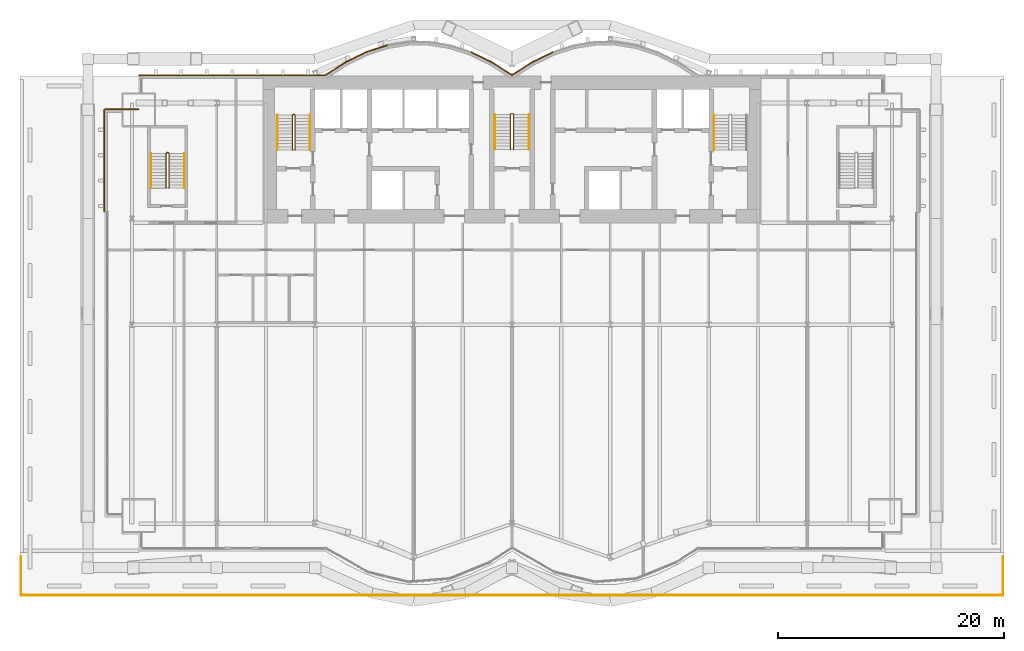
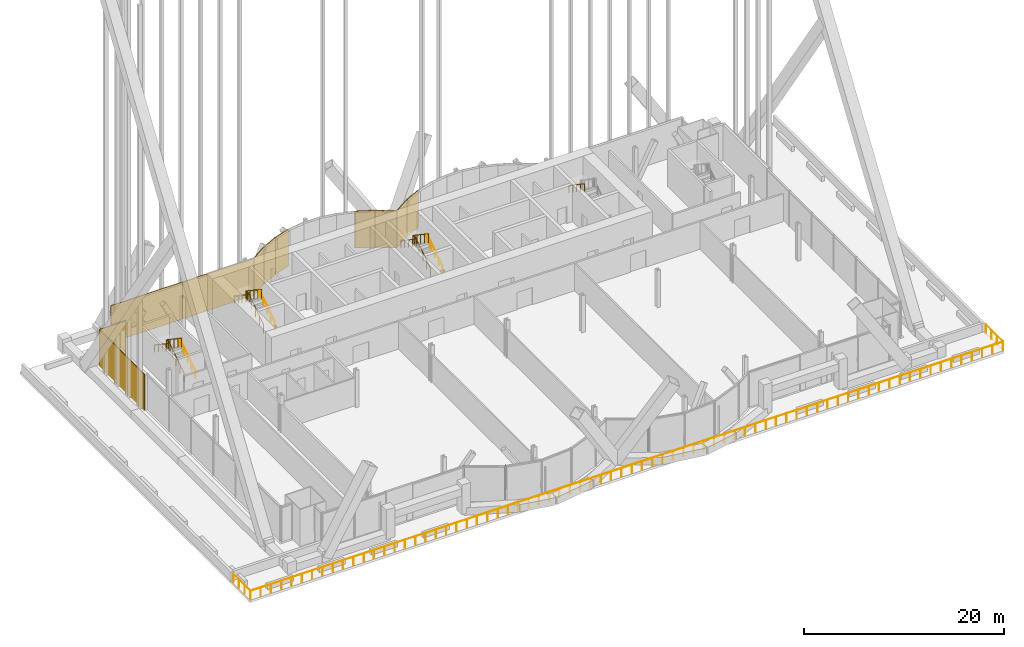
# One storey, part 28 of 29: 11 coverings, 11 railings.
"""IFC4 building model written with IfcOpenShell, lengths in metres."""

from ifc_helpers import new_model, si_unit, direction, frame, origin, origin_2d, place, context, subcontext, project, spatial, rectangle, circle, extrude, material, layer, layer_set, type_object, element, save


model = new_model("IFC4")

# Units and contexts
model_context = context("Model", 3, precision=1e-05, world=origin(), true_north=direction((0.0, 1.0)))
body_context = subcontext(model_context, "Body", "Model", "MODEL_VIEW")
ifc_project = project(units=[si_unit("LENGTHUNIT", "METRE"), si_unit("AREAUNIT", "SQUARE_METRE"), si_unit("VOLUMEUNIT", "CUBIC_METRE"), si_unit("PLANEANGLEUNIT", "RADIAN"), si_unit("MASSUNIT", "GRAM", prefix="KILO")], contexts=[model_context])

# Site, building, storey
site_placement = place(None, origin())
site = spatial("IfcSite", under=ifc_project, at=site_placement, CompositionType="ELEMENT")
building_placement = place(site_placement, origin())
building = spatial("IfcBuilding", under=site, at=building_placement, Name="Bicima Exchange Tower", CompositionType="ELEMENT")
storey_placement = place(building_placement, frame((0.0, 0.0, 35.0)))
storey = spatial("IfcBuildingStorey", under=building, at=storey_placement, Name="L06", CompositionType="ELEMENT", Elevation=35.0)

# Coverings
ifc_material_1 = material(Name="Bronze metal cladding")
ifc_layer_1 = layer(ifc_material_1, 0.004)
ifc_material_2 = material(Name="Ventilated cavity")
ifc_layer_2 = layer(ifc_material_2, 0.06)
ifc_material_3 = material(Name="Galvanised steel rail and mineral wool", Category="steel")
ifc_layer_3 = layer(ifc_material_3, 0.036)
ifc_layer_set = layer_set([ifc_layer_1, ifc_layer_2, ifc_layer_3], Name="Ventilated cavity")
covering_type = type_object("IfcCoveringType", Name="Bronze metal cladding panel 100", PredefinedType="CLADDING", material=ifc_layer_set)
covering_1_placement = place(storey_placement, frame((2.728271484375, 1.674560546875, -0.14990234375), z_axis=(0.0, 0.0, 1.0), x_axis=(-0.899818346812, -0.436264762204, 0.0)))
element("IfcCovering", 1, at=covering_1_placement, inside=storey, type_object=covering_type, Name="Bronze cladding L06 9.1", PredefinedType="CLADDING", context=body_context, shape_type="SweptSolid", body=[
    extrude(rectangle(XDim=2.03759765625, YDim=0.10009765625, at=origin_2d()), origin(), (0.0, 0.0, 1.0), 4.5),
])
for number, where, z_axis, x_axis, name in (
    (2, (0.889404296875, 0.634521484375, -0.14990234375), (0.0, 0.0, 1.0), (-0.839790466384, -0.542910648791, 0.0), "Bronze cladding L06 10.1"),
    (3, (-0.889404296875, 0.634521484375, -0.14990234375), (0.0, 0.0, 1.0), (-0.839790466384, 0.542910648791, 0.0), "Bronze cladding L06 11.1"),
):
    element("IfcCovering", number, at=place(storey_placement, frame(where, z_axis=z_axis, x_axis=x_axis)), inside=storey, type_object=covering_type, Name=name, PredefinedType="CLADDING", context=body_context, shape_type="SweptSolid", body=[
        extrude(rectangle(XDim=2.18310546875, YDim=0.10009765625, at=origin_2d()), origin(), (0.0, 0.0, 1.0), 4.5),
    ])
covering_2_placement = place(storey_placement, frame((-2.728271484375, 1.674560546875, -0.14990234375), z_axis=(0.0, 0.0, 1.0), x_axis=(-0.899818346812, 0.436264762204, 0.0)))
element("IfcCovering", 4, at=covering_2_placement, inside=storey, type_object=covering_type, Name="Bronze cladding L06 12.1", PredefinedType="CLADDING", context=body_context, shape_type="SweptSolid", body=[
    extrude(rectangle(XDim=2.03759765625, YDim=0.10009765625, at=origin_2d()), origin(), (0.0, 0.0, 1.0), 4.5),
])
covering_3_placement = place(storey_placement, frame((-11.931884765625, 2.41796875, -0.14990234375), z_axis=(0.0, 0.0, 1.0), x_axis=(-0.951524642381, -0.307572519808, 0.0)))
element("IfcCovering", 5, at=covering_3_placement, inside=storey, type_object=covering_type, Name="Bronze cladding L06 17.1", PredefinedType="CLADDING", context=body_context, shape_type="SweptSolid", body=[
    extrude(rectangle(XDim=1.9267578125, YDim=0.10009765625, at=origin_2d()), origin(), (0.0, 0.0, 1.0), 4.5),
])
covering_4_placement = place(storey_placement, frame((-13.771728515625, 1.674560546875, -0.14990234375), z_axis=(0.0, 0.0, 1.0), x_axis=(-0.899818346812, -0.436264762204, 0.0)))
element("IfcCovering", 6, at=covering_4_placement, inside=storey, type_object=covering_type, Name="Bronze cladding L06 18.1", PredefinedType="CLADDING", context=body_context, shape_type="SweptSolid", body=[
    extrude(rectangle(XDim=2.03759765625, YDim=0.10009765625, at=origin_2d()), origin(), (0.0, 0.0, 1.0), 4.5),
])
covering_5_placement = place(storey_placement, frame((-15.610595703125, 0.634521484375, -0.14990234375), z_axis=(0.0, 0.0, 1.0), x_axis=(-0.839790466384, -0.542910648791, 0.0)))
element("IfcCovering", 7, at=covering_5_placement, inside=storey, type_object=covering_type, Name="Bronze cladding L06 19.1", PredefinedType="CLADDING", context=body_context, shape_type="SweptSolid", body=[
    extrude(rectangle(XDim=2.18310546875, YDim=0.10009765625, at=origin_2d()), origin(), (0.0, 0.0, 1.0), 4.5),
])
for number, where, z_axis, x_axis, name in (
    (8, (-20.625, 0.050048828125, -0.14990234375), (0.0, 0.0, 1.0), (-1.0, 0.0, 0.0), "Bronze cladding L06 20.1"),
    (9, (-28.875, 0.050048828125, -0.14990234375), (0.0, 0.0, 1.0), (-1.0, 0.0, 0.0), "Bronze cladding L06 20.2"),
):
    element("IfcCovering", number, at=place(storey_placement, frame(where, z_axis=z_axis, x_axis=x_axis)), inside=storey, type_object=covering_type, Name=name, PredefinedType="CLADDING", context=body_context, shape_type="SweptSolid", body=[
        extrude(rectangle(XDim=8.25, YDim=0.10009765625, at=origin_2d()), origin(), (0.0, 0.0, 1.0), 4.5),
    ])
covering_6_placement = place(storey_placement, frame((-34.5, -2.949951171875, -0.14990234375), z_axis=(0.0, 0.0, 1.0), x_axis=(-1.0, 0.0, 0.0)))
element("IfcCovering", 10, at=covering_6_placement, inside=storey, type_object=covering_type, Name="Bronze cladding L06 22.1", PredefinedType="CLADDING", context=body_context, shape_type="SweptSolid", body=[
    extrude(rectangle(XDim=3.0, YDim=0.10009765625, at=origin_2d()), origin(), (0.0, 0.0, 1.0), 4.5),
])
covering_7_placement = place(storey_placement, frame((-36.050048828125, -7.5, -0.14990234375), z_axis=(0.0, 0.0, 1.0), x_axis=(0.0, -1.0, 0.0)))
element("IfcCovering", 11, at=covering_7_placement, inside=storey, type_object=covering_type, Name="Bronze cladding L06 23.1", PredefinedType="CLADDING", context=body_context, shape_type="SweptSolid", body=[
    extrude(rectangle(XDim=9.0, YDim=0.10009765625, at=origin_2d()), origin(), (0.0, 0.0, 1.0), 4.5),
])

# Railings
ifc_material_4 = material(Name="Stainless steel", Category="steel")
railing_type_1 = type_object("IfcRailingType", Name="Stair guard 1100", PredefinedType="GUARDRAIL", material=ifc_material_4)
railing_1_placement = place(storey_placement, frame((-19.199951171875, -6.550048828125, 0.1875)))
element("IfcRailing", 12, at=railing_1_placement, inside=storey, type_object=railing_type_1, Name="L06 ST-W stair guard 1", PredefinedType="GUARDRAIL", context=body_context, shape_type="SweptSolid", body=[
    extrude(circle(Radius=0.02392578125, at=origin_2d()), frame((0.0, 0.0, 1.076171875), z_axis=(0.0, 0.830913701846, 0.55640131208), x_axis=(-1.0, 0.0, 0.0)), (0.0, 0.0, 1.0), 3.706787109375),
    extrude(circle(Radius=0.02392578125, at=origin_2d()), frame((0.0, 3.080078125, 3.138671875), z_axis=(-0.707106781187, 0.707106781187, 0.0), x_axis=(-0.707106781187, -0.707106781187, 0.0)), (0.0, 0.0, 1.0), 0.07080078125),
    extrude(circle(Radius=0.02392578125, at=origin_2d()), frame((-0.050048828125, 3.130126953125, 3.138671875), z_axis=(-1.0, 0.0, 0.0), x_axis=(0.0, -1.0, 0.0)), (0.0, 0.0, 1.0), 0.10009765625),
    extrude(circle(Radius=0.02392578125, at=origin_2d()), frame((-0.150146484375, 3.130126953125, 3.138671875), z_axis=(-0.248583702486, -0.249802250048, 0.935844527007), x_axis=(0.708833529934, -0.705375805398, 0.0)), (0.0, 0.0, 1.0), 0.200439453125),
    extrude(circle(Radius=0.02392578125, at=origin_2d()), frame((-0.199951171875, 3.080078125, 3.326171875), z_axis=(0.0, -0.830913701846, 0.55640131208), x_axis=(1.0, 0.0, 0.0)), (0.0, 0.0, 1.0), 3.706787109375),
    extrude(circle(Radius=0.02099609375, at=origin_2d()), origin(), (0.0, 0.0, 1.0), 1.052001953125),
    extrude(circle(Radius=0.02099609375, at=origin_2d()), frame((0.0, 0.77001953125, 0.515625)), (0.0, 0.0, 1.0), 1.052001953125),
    extrude(circle(Radius=0.02099609375, at=origin_2d()), frame((0.0, 1.5400390625, 1.03125)), (0.0, 0.0, 1.0), 1.052001953125),
    extrude(circle(Radius=0.02099609375, at=origin_2d()), frame((0.0, 2.31005859375, 1.546875)), (0.0, 0.0, 1.0), 1.052001953125),
    extrude(circle(Radius=0.02099609375, at=origin_2d()), frame((0.0, 3.080078125, 2.0625)), (0.0, 0.0, 1.0), 1.052001953125),
    extrude(circle(Radius=0.02099609375, at=origin_2d()), frame((-0.050048828125, 3.130126953125, 2.0625)), (0.0, 0.0, 1.0), 1.052001953125),
    extrude(circle(Radius=0.02099609375, at=origin_2d()), frame((-0.150146484375, 3.130126953125, 2.0625)), (0.0, 0.0, 1.0), 1.052001953125),
    extrude(circle(Radius=0.02099609375, at=origin_2d()), frame((-0.199951171875, 3.080078125, 2.25)), (0.0, 0.0, 1.0), 1.052001953125),
    extrude(circle(Radius=0.02099609375, at=origin_2d()), frame((-0.199951171875, 2.31005859375, 2.765625)), (0.0, 0.0, 1.0), 1.052001953125),
    extrude(circle(Radius=0.02099609375, at=origin_2d()), frame((-0.199951171875, 1.5400390625, 3.28125)), (0.0, 0.0, 1.0), 1.052001953125),
    extrude(circle(Radius=0.02099609375, at=origin_2d()), frame((-0.199951171875, 0.77001953125, 3.796875)), (0.0, 0.0, 1.0), 1.052001953125),
    extrude(circle(Radius=0.02099609375, at=origin_2d()), frame((-0.199951171875, 0.0, 4.3125)), (0.0, 0.0, 1.0), 1.052001953125),
])
railing_2_placement = place(storey_placement, frame((0.125, -6.5, 0.1875)))
element("IfcRailing", 13, at=railing_2_placement, inside=storey, type_object=railing_type_1, Name="L06 ST-C stair guard 1", PredefinedType="GUARDRAIL", context=body_context, shape_type="SweptSolid", body=[
    extrude(circle(Radius=0.02392578125, at=origin_2d()), frame((0.0, 0.0, 1.076171875), z_axis=(0.0, 0.830913701846, 0.55640131208), x_axis=(-1.0, 0.0, 0.0)), (0.0, 0.0, 1.0), 3.706787109375),
    extrude(circle(Radius=0.02392578125, at=origin_2d()), frame((0.0, 3.080078125, 3.138671875), z_axis=(-0.708833529934, 0.705375805398, 0.0), x_axis=(-0.705375805398, -0.708833529934, 0.0)), (0.0, 0.0, 1.0), 0.070556640625),
    extrude(circle(Radius=0.02392578125, at=origin_2d()), frame((-0.050048828125, 3.1298828125, 3.138671875), z_axis=(-1.0, 0.0, 0.0), x_axis=(0.0, -1.0, 0.0)), (0.0, 0.0, 1.0), 0.14990234375),
    extrude(circle(Radius=0.02392578125, at=origin_2d()), frame((-0.199951171875, 3.1298828125, 3.138671875), z_axis=(-0.249802250048, -0.248583702486, 0.935844527007), x_axis=(0.705375805398, -0.708833529934, 0.0)), (0.0, 0.0, 1.0), 0.200439453125),
    extrude(circle(Radius=0.02392578125, at=origin_2d()), frame((-0.25, 3.080078125, 3.326171875), z_axis=(0.0, -0.830913701846, 0.55640131208), x_axis=(1.0, 0.0, 0.0)), (0.0, 0.0, 1.0), 3.706787109375),
    extrude(circle(Radius=0.02099609375, at=origin_2d()), origin(), (0.0, 0.0, 1.0), 1.052001953125),
    extrude(circle(Radius=0.02099609375, at=origin_2d()), frame((0.0, 0.77001953125, 0.515625)), (0.0, 0.0, 1.0), 1.052001953125),
    extrude(circle(Radius=0.02099609375, at=origin_2d()), frame((0.0, 1.5400390625, 1.03125)), (0.0, 0.0, 1.0), 1.052001953125),
    extrude(circle(Radius=0.02099609375, at=origin_2d()), frame((0.0, 2.31005859375, 1.546875)), (0.0, 0.0, 1.0), 1.052001953125),
    extrude(circle(Radius=0.02099609375, at=origin_2d()), frame((0.0, 3.080078125, 2.0625)), (0.0, 0.0, 1.0), 1.052001953125),
    extrude(circle(Radius=0.02099609375, at=origin_2d()), frame((-0.050048828125, 3.1298828125, 2.0625)), (0.0, 0.0, 1.0), 1.052001953125),
    extrude(circle(Radius=0.02099609375, at=origin_2d()), frame((-0.199951171875, 3.1298828125, 2.0625)), (0.0, 0.0, 1.0), 1.052001953125),
    extrude(circle(Radius=0.02099609375, at=origin_2d()), frame((-0.25, 3.080078125, 2.25)), (0.0, 0.0, 1.0), 1.052001953125),
    extrude(circle(Radius=0.02099609375, at=origin_2d()), frame((-0.25, 2.31005859375, 2.765625)), (0.0, 0.0, 1.0), 1.052001953125),
    extrude(circle(Radius=0.02099609375, at=origin_2d()), frame((-0.25, 1.5400390625, 3.28125)), (0.0, 0.0, 1.0), 1.052001953125),
    extrude(circle(Radius=0.02099609375, at=origin_2d()), frame((-0.25, 0.77001953125, 3.796875)), (0.0, 0.0, 1.0), 1.052001953125),
    extrude(circle(Radius=0.02099609375, at=origin_2d()), frame((-0.25, 0.0, 4.3125)), (0.0, 0.0, 1.0), 1.052001953125),
])
railing_3_placement = place(storey_placement, frame((-30.324951171875, -9.925048828125, 0.1875)))
element("IfcRailing", 14, at=railing_3_placement, inside=storey, type_object=railing_type_1, Name="L06 ST-WW stair guard 1", PredefinedType="GUARDRAIL", context=body_context, shape_type="SweptSolid", body=[
    extrude(circle(Radius=0.02392578125, at=origin_2d()), frame((0.0, 0.0, 1.076171875), z_axis=(0.0, 0.830913701846, 0.55640131208), x_axis=(-1.0, 0.0, 0.0)), (0.0, 0.0, 1.0), 3.706787109375),
    extrude(circle(Radius=0.02392578125, at=origin_2d()), frame((0.0, 3.080078125, 3.138671875), z_axis=(-0.707106781187, 0.707106781187, 0.0), x_axis=(-0.707106781187, -0.707106781187, 0.0)), (0.0, 0.0, 1.0), 0.07080078125),
    extrude(circle(Radius=0.02392578125, at=origin_2d()), frame((-0.050048828125, 3.130126953125, 3.138671875), z_axis=(-1.0, 0.0, 0.0), x_axis=(0.0, -1.0, 0.0)), (0.0, 0.0, 1.0), 0.14990234375),
    extrude(circle(Radius=0.02392578125, at=origin_2d()), frame((-0.199951171875, 3.130126953125, 3.138671875), z_axis=(-0.249726431254, -0.249726431254, 0.935560483917), x_axis=(0.707106781187, -0.707106781187, 0.0)), (0.0, 0.0, 1.0), 0.200439453125),
    extrude(circle(Radius=0.02392578125, at=origin_2d()), frame((-0.25, 3.080078125, 3.326171875), z_axis=(0.0, -0.830913701846, 0.55640131208), x_axis=(1.0, 0.0, 0.0)), (0.0, 0.0, 1.0), 3.706787109375),
    extrude(circle(Radius=0.02099609375, at=origin_2d()), origin(), (0.0, 0.0, 1.0), 1.052001953125),
    extrude(circle(Radius=0.02099609375, at=origin_2d()), frame((0.0, 0.77001953125, 0.515625)), (0.0, 0.0, 1.0), 1.052001953125),
    extrude(circle(Radius=0.02099609375, at=origin_2d()), frame((0.0, 1.5400390625, 1.03125)), (0.0, 0.0, 1.0), 1.052001953125),
    extrude(circle(Radius=0.02099609375, at=origin_2d()), frame((0.0, 2.31005859375, 1.546875)), (0.0, 0.0, 1.0), 1.052001953125),
    extrude(circle(Radius=0.02099609375, at=origin_2d()), frame((0.0, 3.080078125, 2.0625)), (0.0, 0.0, 1.0), 1.052001953125),
    extrude(circle(Radius=0.02099609375, at=origin_2d()), frame((-0.050048828125, 3.130126953125, 2.0625)), (0.0, 0.0, 1.0), 1.052001953125),
    extrude(circle(Radius=0.02099609375, at=origin_2d()), frame((-0.199951171875, 3.130126953125, 2.0625)), (0.0, 0.0, 1.0), 1.052001953125),
    extrude(circle(Radius=0.02099609375, at=origin_2d()), frame((-0.25, 3.080078125, 2.25)), (0.0, 0.0, 1.0), 1.052001953125),
    extrude(circle(Radius=0.02099609375, at=origin_2d()), frame((-0.25, 2.31005859375, 2.765625)), (0.0, 0.0, 1.0), 1.052001953125),
    extrude(circle(Radius=0.02099609375, at=origin_2d()), frame((-0.25, 1.5400390625, 3.28125)), (0.0, 0.0, 1.0), 1.052001953125),
    extrude(circle(Radius=0.02099609375, at=origin_2d()), frame((-0.25, 0.77001953125, 3.796875)), (0.0, 0.0, 1.0), 1.052001953125),
    extrude(circle(Radius=0.02099609375, at=origin_2d()), frame((-0.25, 0.0, 4.3125)), (0.0, 0.0, 1.0), 1.052001953125),
])
railing_type_2 = type_object("IfcRailingType", Name="Stair handrail 900", PredefinedType="HANDRAIL", material=ifc_material_4)
railing_4_placement = place(storey_placement, frame((-17.85009765625, -6.550048828125, 0.1875)))
element("IfcRailing", 15, at=railing_4_placement, inside=storey, type_object=railing_type_2, Name="L06 ST-W stair handrail 1", PredefinedType="HANDRAIL", context=body_context, shape_type="SweptSolid", body=[
    extrude(circle(Radius=0.02392578125, at=origin_2d()), frame((0.0, 0.0, 0.8759765625), z_axis=(0.0, 0.830913701846, 0.55640131208), x_axis=(-1.0, 0.0, 0.0)), (0.0, 0.0, 1.0), 3.706787109375),
    extrude(circle(Radius=0.02099609375, at=origin_2d()), origin(), (0.0, 0.0, 1.0), 0.851806640625),
    extrude(circle(Radius=0.02099609375, at=origin_2d()), frame((0.0, 0.77001953125, 0.515625)), (0.0, 0.0, 1.0), 0.851806640625),
    extrude(circle(Radius=0.02099609375, at=origin_2d()), frame((0.0, 1.5400390625, 1.03125)), (0.0, 0.0, 1.0), 0.851806640625),
    extrude(circle(Radius=0.02099609375, at=origin_2d()), frame((0.0, 2.31005859375, 1.546875)), (0.0, 0.0, 1.0), 0.851806640625),
    extrude(circle(Radius=0.02099609375, at=origin_2d()), frame((0.0, 3.080078125, 2.0625)), (0.0, 0.0, 1.0), 0.851806640625),
])
railing_5_placement = place(storey_placement, frame((-20.75, -3.469970703125, 2.47900390625)))
element("IfcRailing", 16, at=railing_5_placement, inside=storey, type_object=railing_type_2, Name="L06 ST-W stair handrail 2", PredefinedType="HANDRAIL", context=body_context, shape_type="SweptSolid", body=[
    extrude(circle(Radius=0.02392578125, at=origin_2d()), frame((0.0, 0.0, 0.8759765625), z_axis=(0.0, -0.830913701846, 0.55640131208), x_axis=(1.0, 0.0, 0.0)), (0.0, 0.0, 1.0), 3.706787109375),
    extrude(circle(Radius=0.02099609375, at=origin_2d()), origin(), (0.0, 0.0, 1.0), 0.851806640625),
    extrude(circle(Radius=0.02099609375, at=origin_2d()), frame((0.0, -0.77001953125, 0.515625)), (0.0, 0.0, 1.0), 0.851806640625),
    extrude(circle(Radius=0.02099609375, at=origin_2d()), frame((0.0, -1.5400390625, 1.03125)), (0.0, 0.0, 1.0), 0.851806640625),
    extrude(circle(Radius=0.02099609375, at=origin_2d()), frame((0.0, -2.31005859375, 1.546875)), (0.0, 0.0, 1.0), 0.851806640625),
    extrude(circle(Radius=0.02099609375, at=origin_2d()), frame((0.0, -3.080078125, 2.0625)), (0.0, 0.0, 1.0), 0.851806640625),
])
railing_6_placement = place(storey_placement, frame((1.52490234375, -6.5, 0.1875)))
element("IfcRailing", 17, at=railing_6_placement, inside=storey, type_object=railing_type_2, Name="L06 ST-C stair handrail 1", PredefinedType="HANDRAIL", context=body_context, shape_type="SweptSolid", body=[
    extrude(circle(Radius=0.02392578125, at=origin_2d()), frame((0.0, 0.0, 0.8759765625), z_axis=(0.0, 0.830913701846, 0.55640131208), x_axis=(-1.0, 0.0, 0.0)), (0.0, 0.0, 1.0), 3.706787109375),
    extrude(circle(Radius=0.02099609375, at=origin_2d()), origin(), (0.0, 0.0, 1.0), 0.851806640625),
    extrude(circle(Radius=0.02099609375, at=origin_2d()), frame((0.0, 0.77001953125, 0.515625)), (0.0, 0.0, 1.0), 0.851806640625),
    extrude(circle(Radius=0.02099609375, at=origin_2d()), frame((0.0, 1.5400390625, 1.03125)), (0.0, 0.0, 1.0), 0.851806640625),
    extrude(circle(Radius=0.02099609375, at=origin_2d()), frame((0.0, 2.31005859375, 1.546875)), (0.0, 0.0, 1.0), 0.851806640625),
    extrude(circle(Radius=0.02099609375, at=origin_2d()), frame((0.0, 3.080078125, 2.0625)), (0.0, 0.0, 1.0), 0.851806640625),
])
for number, where, name in (
    (18, (-1.52490234375, -3.419921875, 2.47900390625), "L06 ST-C stair handrail 2"),
    (19, (17.85009765625, -3.469970703125, 2.47900390625), "L06 ST-E stair handrail 2"),
):
    element("IfcRailing", number, at=place(storey_placement, frame(where)), inside=storey, type_object=railing_type_2, Name=name, PredefinedType="HANDRAIL", context=body_context, shape_type="SweptSolid", body=[
        extrude(circle(Radius=0.02392578125, at=origin_2d()), frame((0.0, 0.0, 0.8759765625), z_axis=(0.0, -0.830913701846, 0.55640131208), x_axis=(1.0, 0.0, 0.0)), (0.0, 0.0, 1.0), 3.706787109375),
        extrude(circle(Radius=0.02099609375, at=origin_2d()), origin(), (0.0, 0.0, 1.0), 0.851806640625),
        extrude(circle(Radius=0.02099609375, at=origin_2d()), frame((0.0, -0.77001953125, 0.515625)), (0.0, 0.0, 1.0), 0.851806640625),
        extrude(circle(Radius=0.02099609375, at=origin_2d()), frame((0.0, -1.5400390625, 1.03125)), (0.0, 0.0, 1.0), 0.851806640625),
        extrude(circle(Radius=0.02099609375, at=origin_2d()), frame((0.0, -2.31005859375, 1.546875)), (0.0, 0.0, 1.0), 0.851806640625),
        extrude(circle(Radius=0.02099609375, at=origin_2d()), frame((0.0, -3.080078125, 2.0625)), (0.0, 0.0, 1.0), 0.851806640625),
    ])
railing_7_placement = place(storey_placement, frame((-28.97509765625, -9.925048828125, 0.1875)))
element("IfcRailing", 20, at=railing_7_placement, inside=storey, type_object=railing_type_2, Name="L06 ST-WW stair handrail 1", PredefinedType="HANDRAIL", context=body_context, shape_type="SweptSolid", body=[
    extrude(circle(Radius=0.02392578125, at=origin_2d()), frame((0.0, 0.0, 0.8759765625), z_axis=(0.0, 0.830913701846, 0.55640131208), x_axis=(-1.0, 0.0, 0.0)), (0.0, 0.0, 1.0), 3.706787109375),
    extrude(circle(Radius=0.02099609375, at=origin_2d()), origin(), (0.0, 0.0, 1.0), 0.851806640625),
    extrude(circle(Radius=0.02099609375, at=origin_2d()), frame((0.0, 0.77001953125, 0.515625)), (0.0, 0.0, 1.0), 0.851806640625),
    extrude(circle(Radius=0.02099609375, at=origin_2d()), frame((0.0, 1.5400390625, 1.03125)), (0.0, 0.0, 1.0), 0.851806640625),
    extrude(circle(Radius=0.02099609375, at=origin_2d()), frame((0.0, 2.31005859375, 1.546875)), (0.0, 0.0, 1.0), 0.851806640625),
    extrude(circle(Radius=0.02099609375, at=origin_2d()), frame((0.0, 3.080078125, 2.0625)), (0.0, 0.0, 1.0), 0.851806640625),
])
railing_8_placement = place(storey_placement, frame((-31.925048828125, -6.844970703125, 2.47900390625)))
element("IfcRailing", 21, at=railing_8_placement, inside=storey, type_object=railing_type_2, Name="L06 ST-WW stair handrail 2", PredefinedType="HANDRAIL", context=body_context, shape_type="SweptSolid", body=[
    extrude(circle(Radius=0.02392578125, at=origin_2d()), frame((0.0, 0.0, 0.8759765625), z_axis=(0.0, -0.830913701846, 0.55640131208), x_axis=(1.0, 0.0, 0.0)), (0.0, 0.0, 1.0), 3.706787109375),
    extrude(circle(Radius=0.02099609375, at=origin_2d()), origin(), (0.0, 0.0, 1.0), 0.851806640625),
    extrude(circle(Radius=0.02099609375, at=origin_2d()), frame((0.0, -0.77001953125, 0.515625)), (0.0, 0.0, 1.0), 0.851806640625),
    extrude(circle(Radius=0.02099609375, at=origin_2d()), frame((0.0, -1.5400390625, 1.03125)), (0.0, 0.0, 1.0), 0.851806640625),
    extrude(circle(Radius=0.02099609375, at=origin_2d()), frame((0.0, -2.31005859375, 1.546875)), (0.0, 0.0, 1.0), 0.851806640625),
    extrude(circle(Radius=0.02099609375, at=origin_2d()), frame((0.0, -3.080078125, 2.0625)), (0.0, 0.0, 1.0), 0.851806640625),
])
ifc_material_5 = material(Name="Stainless steel and bonded safety glass", Category="steel")
railing_type_3 = type_object("IfcRailingType", Name="Terrace guard 1100", PredefinedType="GUARDRAIL", material=ifc_material_5)
railing_9_placement = place(storey_placement, frame((43.419921875, -42.5, 0.0)))
element("IfcRailing", 22, at=railing_9_placement, inside=storey, type_object=railing_type_3, Name="Podium roof guard L06 1", PredefinedType="GUARDRAIL", context=body_context, shape_type="SweptSolid", body=[
    extrude(circle(Radius=0.02392578125, at=origin_2d()), frame((0.0, 0.0, 1.076171875), z_axis=(0.0, -1.0, 0.0), x_axis=(1.0, 0.0, 0.0)), (0.0, 0.0, 1.0), 3.419921875),
    extrude(circle(Radius=0.02392578125, at=origin_2d()), frame((0.0, -3.419921875, 1.076171875), z_axis=(-1.0, 0.0, 0.0), x_axis=(0.0, -1.0, 0.0)), (0.0, 0.0, 1.0), 86.83984375),
    extrude(circle(Radius=0.02392578125, at=origin_2d()), frame((-86.83984375, -3.419921875, 1.076171875), z_axis=(0.0, 1.0, 0.0), x_axis=(-1.0, 0.0, 0.0)), (0.0, 0.0, 1.0), 3.419921875),
    extrude(circle(Radius=0.02099609375, at=origin_2d()), origin(), (0.0, 0.0, 1.0), 1.052001953125),
    extrude(circle(Radius=0.02099609375, at=origin_2d()), frame((0.0, -1.139892578125, 0.0)), (0.0, 0.0, 1.0), 1.052001953125),
    extrude(circle(Radius=0.02099609375, at=origin_2d()), frame((0.0, -2.280029296875, 0.0)), (0.0, 0.0, 1.0), 1.052001953125),
    extrude(circle(Radius=0.02099609375, at=origin_2d()), frame((0.0, -3.419921875, 0.0)), (0.0, 0.0, 1.0), 1.052001953125),
    extrude(circle(Radius=0.02099609375, at=origin_2d()), frame((-1.189697265625, -3.419921875, 0.0)), (0.0, 0.0, 1.0), 1.052001953125),
    extrude(circle(Radius=0.02099609375, at=origin_2d()), frame((-2.379150390625, -3.419921875, 0.0)), (0.0, 0.0, 1.0), 1.052001953125),
    extrude(circle(Radius=0.02099609375, at=origin_2d()), frame((-3.56884765625, -3.419921875, 0.0)), (0.0, 0.0, 1.0), 1.052001953125),
    extrude(circle(Radius=0.02099609375, at=origin_2d()), frame((-4.75830078125, -3.419921875, 0.0)), (0.0, 0.0, 1.0), 1.052001953125),
    extrude(circle(Radius=0.02099609375, at=origin_2d()), frame((-5.947998046875, -3.419921875, 0.0)), (0.0, 0.0, 1.0), 1.052001953125),
    extrude(circle(Radius=0.02099609375, at=origin_2d()), frame((-7.137451171875, -3.419921875, 0.0)), (0.0, 0.0, 1.0), 1.052001953125),
    extrude(circle(Radius=0.02099609375, at=origin_2d()), frame((-8.3271484375, -3.419921875, 0.0)), (0.0, 0.0, 1.0), 1.052001953125),
    extrude(circle(Radius=0.02099609375, at=origin_2d()), frame((-9.5166015625, -3.419921875, 0.0)), (0.0, 0.0, 1.0), 1.052001953125),
    extrude(circle(Radius=0.02099609375, at=origin_2d()), frame((-10.706298828125, -3.419921875, 0.0)), (0.0, 0.0, 1.0), 1.052001953125),
    extrude(circle(Radius=0.02099609375, at=origin_2d()), frame((-11.895751953125, -3.419921875, 0.0)), (0.0, 0.0, 1.0), 1.052001953125),
    extrude(circle(Radius=0.02099609375, at=origin_2d()), frame((-13.08544921875, -3.419921875, 0.0)), (0.0, 0.0, 1.0), 1.052001953125),
    extrude(circle(Radius=0.02099609375, at=origin_2d()), frame((-14.275146484375, -3.419921875, 0.0)), (0.0, 0.0, 1.0), 1.052001953125),
    extrude(circle(Radius=0.02099609375, at=origin_2d()), frame((-15.464599609375, -3.419921875, 0.0)), (0.0, 0.0, 1.0), 1.052001953125),
    extrude(circle(Radius=0.02099609375, at=origin_2d()), frame((-16.654296875, -3.419921875, 0.0)), (0.0, 0.0, 1.0), 1.052001953125),
    extrude(circle(Radius=0.02099609375, at=origin_2d()), frame((-17.84375, -3.419921875, 0.0)), (0.0, 0.0, 1.0), 1.052001953125),
    extrude(circle(Radius=0.02099609375, at=origin_2d()), frame((-19.033447265625, -3.419921875, 0.0)), (0.0, 0.0, 1.0), 1.052001953125),
    extrude(circle(Radius=0.02099609375, at=origin_2d()), frame((-20.222900390625, -3.419921875, 0.0)), (0.0, 0.0, 1.0), 1.052001953125),
    extrude(circle(Radius=0.02099609375, at=origin_2d()), frame((-21.41259765625, -3.419921875, 0.0)), (0.0, 0.0, 1.0), 1.052001953125),
    extrude(circle(Radius=0.02099609375, at=origin_2d()), frame((-22.60205078125, -3.419921875, 0.0)), (0.0, 0.0, 1.0), 1.052001953125),
    extrude(circle(Radius=0.02099609375, at=origin_2d()), frame((-23.791748046875, -3.419921875, 0.0)), (0.0, 0.0, 1.0), 1.052001953125),
    extrude(circle(Radius=0.02099609375, at=origin_2d()), frame((-24.9814453125, -3.419921875, 0.0)), (0.0, 0.0, 1.0), 1.052001953125),
    extrude(circle(Radius=0.02099609375, at=origin_2d()), frame((-26.1708984375, -3.419921875, 0.0)), (0.0, 0.0, 1.0), 1.052001953125),
    extrude(circle(Radius=0.02099609375, at=origin_2d()), frame((-27.360595703125, -3.419921875, 0.0)), (0.0, 0.0, 1.0), 1.052001953125),
    extrude(circle(Radius=0.02099609375, at=origin_2d()), frame((-28.550048828125, -3.419921875, 0.0)), (0.0, 0.0, 1.0), 1.052001953125),
    extrude(circle(Radius=0.02099609375, at=origin_2d()), frame((-29.73974609375, -3.419921875, 0.0)), (0.0, 0.0, 1.0), 1.052001953125),
    extrude(circle(Radius=0.02099609375, at=origin_2d()), frame((-30.92919921875, -3.419921875, 0.0)), (0.0, 0.0, 1.0), 1.052001953125),
    extrude(circle(Radius=0.02099609375, at=origin_2d()), frame((-32.118896484375, -3.419921875, 0.0)), (0.0, 0.0, 1.0), 1.052001953125),
    extrude(circle(Radius=0.02099609375, at=origin_2d()), frame((-33.308349609375, -3.419921875, 0.0)), (0.0, 0.0, 1.0), 1.052001953125),
    extrude(circle(Radius=0.02099609375, at=origin_2d()), frame((-34.498046875, -3.419921875, 0.0)), (0.0, 0.0, 1.0), 1.052001953125),
    extrude(circle(Radius=0.02099609375, at=origin_2d()), frame((-35.6875, -3.419921875, 0.0)), (0.0, 0.0, 1.0), 1.052001953125),
    extrude(circle(Radius=0.02099609375, at=origin_2d()), frame((-36.877197265625, -3.419921875, 0.0)), (0.0, 0.0, 1.0), 1.052001953125),
    extrude(circle(Radius=0.02099609375, at=origin_2d()), frame((-38.06689453125, -3.419921875, 0.0)), (0.0, 0.0, 1.0), 1.052001953125),
    extrude(circle(Radius=0.02099609375, at=origin_2d()), frame((-39.25634765625, -3.419921875, 0.0)), (0.0, 0.0, 1.0), 1.052001953125),
    extrude(circle(Radius=0.02099609375, at=origin_2d()), frame((-40.446044921875, -3.419921875, 0.0)), (0.0, 0.0, 1.0), 1.052001953125),
    extrude(circle(Radius=0.02099609375, at=origin_2d()), frame((-41.635498046875, -3.419921875, 0.0)), (0.0, 0.0, 1.0), 1.052001953125),
    extrude(circle(Radius=0.02099609375, at=origin_2d()), frame((-42.8251953125, -3.419921875, 0.0)), (0.0, 0.0, 1.0), 1.052001953125),
    extrude(circle(Radius=0.02099609375, at=origin_2d()), frame((-44.0146484375, -3.419921875, 0.0)), (0.0, 0.0, 1.0), 1.052001953125),
    extrude(circle(Radius=0.02099609375, at=origin_2d()), frame((-45.204345703125, -3.419921875, 0.0)), (0.0, 0.0, 1.0), 1.052001953125),
    extrude(circle(Radius=0.02099609375, at=origin_2d()), frame((-46.393798828125, -3.419921875, 0.0)), (0.0, 0.0, 1.0), 1.052001953125),
    extrude(circle(Radius=0.02099609375, at=origin_2d()), frame((-47.58349609375, -3.419921875, 0.0)), (0.0, 0.0, 1.0), 1.052001953125),
    extrude(circle(Radius=0.02099609375, at=origin_2d()), frame((-48.77294921875, -3.419921875, 0.0)), (0.0, 0.0, 1.0), 1.052001953125),
    extrude(circle(Radius=0.02099609375, at=origin_2d()), frame((-49.962646484375, -3.419921875, 0.0)), (0.0, 0.0, 1.0), 1.052001953125),
    extrude(circle(Radius=0.02099609375, at=origin_2d()), frame((-51.15234375, -3.419921875, 0.0)), (0.0, 0.0, 1.0), 1.052001953125),
    extrude(circle(Radius=0.02099609375, at=origin_2d()), frame((-52.341796875, -3.419921875, 0.0)), (0.0, 0.0, 1.0), 1.052001953125),
    extrude(circle(Radius=0.02099609375, at=origin_2d()), frame((-53.531494140625, -3.419921875, 0.0)), (0.0, 0.0, 1.0), 1.052001953125),
    extrude(circle(Radius=0.02099609375, at=origin_2d()), frame((-54.720947265625, -3.419921875, 0.0)), (0.0, 0.0, 1.0), 1.052001953125),
    extrude(circle(Radius=0.02099609375, at=origin_2d()), frame((-55.91064453125, -3.419921875, 0.0)), (0.0, 0.0, 1.0), 1.052001953125),
    extrude(circle(Radius=0.02099609375, at=origin_2d()), frame((-57.10009765625, -3.419921875, 0.0)), (0.0, 0.0, 1.0), 1.052001953125),
    extrude(circle(Radius=0.02099609375, at=origin_2d()), frame((-58.289794921875, -3.419921875, 0.0)), (0.0, 0.0, 1.0), 1.052001953125),
    extrude(circle(Radius=0.02099609375, at=origin_2d()), frame((-59.479248046875, -3.419921875, 0.0)), (0.0, 0.0, 1.0), 1.052001953125),
    extrude(circle(Radius=0.02099609375, at=origin_2d()), frame((-60.6689453125, -3.419921875, 0.0)), (0.0, 0.0, 1.0), 1.052001953125),
    extrude(circle(Radius=0.02099609375, at=origin_2d()), frame((-61.8583984375, -3.419921875, 0.0)), (0.0, 0.0, 1.0), 1.052001953125),
    extrude(circle(Radius=0.02099609375, at=origin_2d()), frame((-63.048095703125, -3.419921875, 0.0)), (0.0, 0.0, 1.0), 1.052001953125),
    extrude(circle(Radius=0.02099609375, at=origin_2d()), frame((-64.23779296875, -3.419921875, 0.0)), (0.0, 0.0, 1.0), 1.052001953125),
    extrude(circle(Radius=0.02099609375, at=origin_2d()), frame((-65.42724609375, -3.419921875, 0.0)), (0.0, 0.0, 1.0), 1.052001953125),
    extrude(circle(Radius=0.02099609375, at=origin_2d()), frame((-66.616943359375, -3.419921875, 0.0)), (0.0, 0.0, 1.0), 1.052001953125),
    extrude(circle(Radius=0.02099609375, at=origin_2d()), frame((-67.806396484375, -3.419921875, 0.0)), (0.0, 0.0, 1.0), 1.052001953125),
    extrude(circle(Radius=0.02099609375, at=origin_2d()), frame((-68.99609375, -3.419921875, 0.0)), (0.0, 0.0, 1.0), 1.052001953125),
    extrude(circle(Radius=0.02099609375, at=origin_2d()), frame((-70.185546875, -3.419921875, 0.0)), (0.0, 0.0, 1.0), 1.052001953125),
    extrude(circle(Radius=0.02099609375, at=origin_2d()), frame((-71.375244140625, -3.419921875, 0.0)), (0.0, 0.0, 1.0), 1.052001953125),
    extrude(circle(Radius=0.02099609375, at=origin_2d()), frame((-72.564697265625, -3.419921875, 0.0)), (0.0, 0.0, 1.0), 1.052001953125),
    extrude(circle(Radius=0.02099609375, at=origin_2d()), frame((-73.75439453125, -3.419921875, 0.0)), (0.0, 0.0, 1.0), 1.052001953125),
    extrude(circle(Radius=0.02099609375, at=origin_2d()), frame((-74.944091796875, -3.419921875, 0.0)), (0.0, 0.0, 1.0), 1.052001953125),
    extrude(circle(Radius=0.02099609375, at=origin_2d()), frame((-76.133544921875, -3.419921875, 0.0)), (0.0, 0.0, 1.0), 1.052001953125),
    extrude(circle(Radius=0.02099609375, at=origin_2d()), frame((-77.3232421875, -3.419921875, 0.0)), (0.0, 0.0, 1.0), 1.052001953125),
    extrude(circle(Radius=0.02099609375, at=origin_2d()), frame((-78.5126953125, -3.419921875, 0.0)), (0.0, 0.0, 1.0), 1.052001953125),
    extrude(circle(Radius=0.02099609375, at=origin_2d()), frame((-79.702392578125, -3.419921875, 0.0)), (0.0, 0.0, 1.0), 1.052001953125),
    extrude(circle(Radius=0.02099609375, at=origin_2d()), frame((-80.891845703125, -3.419921875, 0.0)), (0.0, 0.0, 1.0), 1.052001953125),
    extrude(circle(Radius=0.02099609375, at=origin_2d()), frame((-82.08154296875, -3.419921875, 0.0)), (0.0, 0.0, 1.0), 1.052001953125),
    extrude(circle(Radius=0.02099609375, at=origin_2d()), frame((-83.27099609375, -3.419921875, 0.0)), (0.0, 0.0, 1.0), 1.052001953125),
    extrude(circle(Radius=0.02099609375, at=origin_2d()), frame((-84.460693359375, -3.419921875, 0.0)), (0.0, 0.0, 1.0), 1.052001953125),
    extrude(circle(Radius=0.02099609375, at=origin_2d()), frame((-85.650146484375, -3.419921875, 0.0)), (0.0, 0.0, 1.0), 1.052001953125),
    extrude(circle(Radius=0.02099609375, at=origin_2d()), frame((-86.83984375, -3.419921875, 0.0)), (0.0, 0.0, 1.0), 1.052001953125),
    extrude(circle(Radius=0.02099609375, at=origin_2d()), frame((-86.83984375, -2.280029296875, 0.0)), (0.0, 0.0, 1.0), 1.052001953125),
    extrude(circle(Radius=0.02099609375, at=origin_2d()), frame((-86.83984375, -1.139892578125, 0.0)), (0.0, 0.0, 1.0), 1.052001953125),
    extrude(circle(Radius=0.02099609375, at=origin_2d()), frame((-86.83984375, 0.0, 0.0)), (0.0, 0.0, 1.0), 1.052001953125),
])

save(model, "model.ifc")
